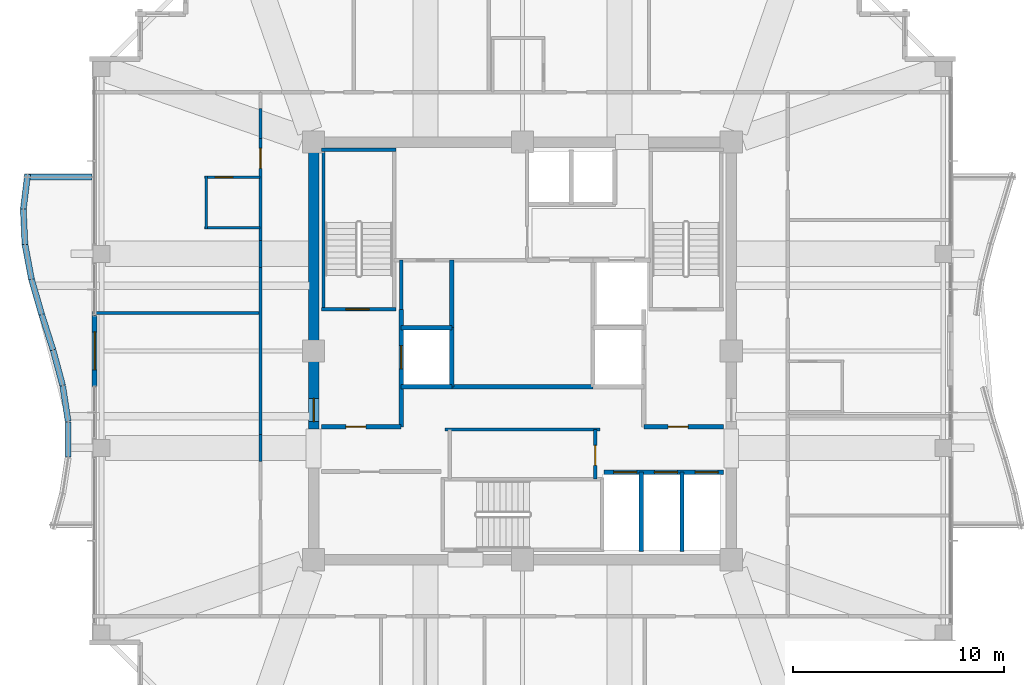
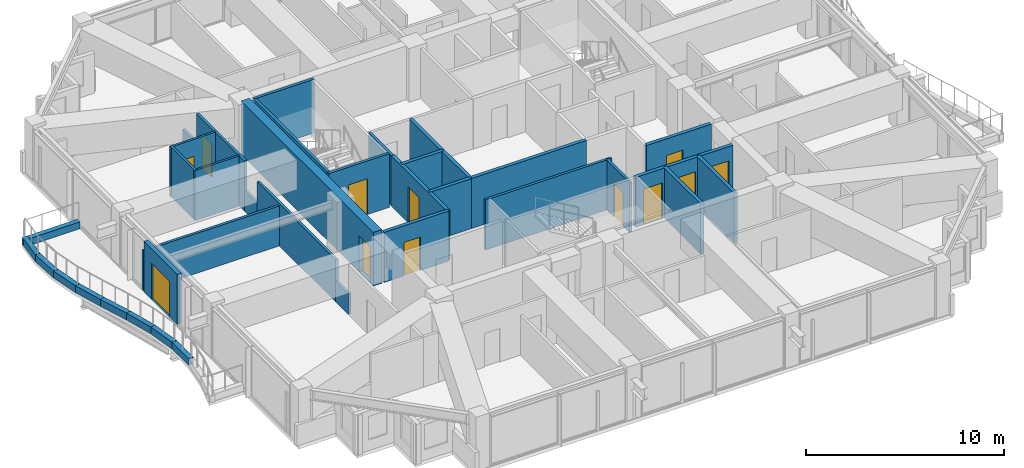
# One storey, part 30 of 35: 37 walls, 12 doors, 12 openings.
"""IFC4 building model written with IfcOpenShell, lengths in metres."""

from ifc_helpers import new_model, si_unit, direction, frame, frame_2d, origin, place, context, subcontext, project, spatial, rectangle, extrude, material, layer, layer_set, type_object, element, fill, save


model = new_model("IFC4")

# Units and contexts
model_context = context("Model", 3, precision=1e-05, world=origin(), true_north=direction((0.0, 1.0)))
body_context = subcontext(model_context, "Body", "Model", "MODEL_VIEW")
ifc_project = project(units=[si_unit("LENGTHUNIT", "METRE"), si_unit("AREAUNIT", "SQUARE_METRE"), si_unit("VOLUMEUNIT", "CUBIC_METRE"), si_unit("PLANEANGLEUNIT", "RADIAN"), si_unit("MASSUNIT", "GRAM", prefix="KILO")], contexts=[model_context])

# Site, building, storey
site_placement = place(None, origin())
site = spatial("IfcSite", under=ifc_project, at=site_placement, CompositionType="ELEMENT")
building_placement = place(site_placement, origin())
building = spatial("IfcBuilding", under=site, at=building_placement, Name="Kolvaren Belvedere", CompositionType="ELEMENT")
storey_placement = place(building_placement, frame((0.0, 0.0, 203.10009765625)))
storey = spatial("IfcBuildingStorey", under=building, at=storey_placement, Name="L59", CompositionType="ELEMENT", Elevation=203.10009765625)

# Wall, opening, door
ifc_material_1 = material(Name="Concrete C50/60", Category="concrete")
ifc_layer_1 = layer(ifc_material_1, 0.5)
ifc_layer_set_1 = layer_set([ifc_layer_1], Name="Concrete C50/60")
wall_type_1 = type_object("IfcWallType", Name="CW-CORE-500", PredefinedType="SHEAR", material=ifc_layer_set_1)
wall_1_placement = place(storey_placement, frame((-9.89990234375, -3.699951171875, 0.0), z_axis=(0.0, 0.0, 1.0), x_axis=(0.0, 1.0, 0.0)))
wall_1 = element("IfcWall", 1, at=wall_1_placement, inside=storey, type_object=wall_type_1, Name="L59 West Core Shear Wall 2", PredefinedType="SHEAR", context=body_context, shape_type="SweptSolid", body=[
    extrude(rectangle(XDim=13.349853515625, YDim=0.5, at=frame_2d((6.6748046875, 0.0))), origin(), (0.0, 0.0, 1.0), 3.2998046875),
])
opening_1_placement = place(wall_1_placement, frame((0.35009765625, 0.0, 0.0)))
opening_1 = element("IfcOpeningElement", 2, at=opening_1_placement, cuts=wall_1, Name="Opening D-FD90", PredefinedType="OPENING", context=body_context, shape_type="SweptSolid", body=[
    extrude(rectangle(XDim=1.10009765625, YDim=2.199951171875, at=frame_2d((0.550048828125, 1.10009765625))), frame((0.0, 0.260009765625, 0.0), z_axis=(0.0, -1.0, 0.0), x_axis=(1.0, 0.0, 0.0)), (0.0, 0.0, 1.0), 0.52001953125),
])
ifc_material_2 = material(Name="Painted hollow stainless steel", Category="steel")
door_type_1 = type_object("IfcDoorType", Name="DR-FD90-1100", OperationType="NOTDEFINED", PredefinedType="DOOR", material=ifc_material_2)
door_1_placement = place(opening_1_placement, origin())
door_1 = element("IfcDoor", 3, at=door_1_placement, inside=storey, type_object=door_type_1, Name="L59 West Firefighting Lobby Fire Door", OperationType="SINGLE_SWING_LEFT", OverallHeight=2.199951171875, OverallWidth=1.10009765625, PredefinedType="DOOR", context=body_context, shape_type="SweptSolid", body=[
    extrude(rectangle(XDim=1.10009765625, YDim=2.199951171875, at=frame_2d((0.550048828125, 1.10009765625))), frame((0.0, 0.02490234375, 0.0), z_axis=(0.0, -1.0, 0.0), x_axis=(1.0, 0.0, 0.0)), (0.0, 0.0, 1.0), 0.050048828125),
])
fill(opening_1, door_1)

ifc_material_3 = material(Name="Concrete C50/60", Category="concrete")
ifc_layer_2 = layer(ifc_material_3, 0.159912109375)
ifc_layer_set_2 = layer_set([ifc_layer_2], Name="Concrete C50/60")
wall_type_2 = type_object("IfcWallType", Name="CW-STAIR-160", PredefinedType="SHEAR", material=ifc_layer_set_2)
wall_2_placement = place(storey_placement, frame((-9.52001953125, 1.969970703125, 0.0), z_axis=(0.0, 0.0, 1.0), x_axis=(1.0, 0.0, 0.0)))
wall_2 = element("IfcWall", 4, at=wall_2_placement, inside=storey, type_object=wall_type_2, Name="L59 Stair ST-1 South Shear Wall", PredefinedType="SHEAR", context=body_context, shape_type="SweptSolid", body=[
    extrude(rectangle(XDim=3.52001953125, YDim=0.159912109375, at=frame_2d((1.760009765625, 0.0))), origin(), (0.0, 0.0, 1.0), 3.2998046875),
])
opening_2_placement = place(wall_2_placement, frame((1.14990234375, 0.0, 0.0)))
opening_2 = element("IfcOpeningElement", 5, at=opening_2_placement, cuts=wall_2, Name="Opening D-FD90", PredefinedType="OPENING", context=body_context, shape_type="SweptSolid", body=[
    extrude(rectangle(XDim=1.10009765625, YDim=2.199951171875, at=frame_2d((0.550048828125, 1.10009765625))), frame((0.0, 0.08984375, 0.0), z_axis=(0.0, -1.0, 0.0), x_axis=(1.0, 0.0, 0.0)), (0.0, 0.0, 1.0), 0.179931640625),
])
door_2_placement = place(opening_2_placement, origin())
door_2 = element("IfcDoor", 6, at=door_2_placement, inside=storey, type_object=door_type_1, Name="L59 Stair ST-1 Fire Door", OperationType="SINGLE_SWING_LEFT", OverallHeight=2.199951171875, OverallWidth=1.10009765625, PredefinedType="DOOR", context=body_context, shape_type="SweptSolid", body=[
    extrude(rectangle(XDim=1.10009765625, YDim=2.199951171875, at=frame_2d((0.550048828125, 1.10009765625))), frame((0.0, 0.02490234375, 0.0), z_axis=(0.0, -1.0, 0.0), x_axis=(1.0, 0.0, 0.0)), (0.0, 0.0, 1.0), 0.050048828125),
])
fill(opening_2, door_2)

# Walls
wall_3_placement = place(storey_placement, frame((-9.52001953125, 9.530029296875, 0.0), z_axis=(0.0, 0.0, 1.0), x_axis=(1.0, 0.0, 0.0)))
element("IfcWall", 7, at=wall_3_placement, inside=storey, type_object=wall_type_2, Name="L59 Stair ST-1 North Shear Wall", PredefinedType="SHEAR", context=body_context, shape_type="SweptSolid", body=[
    extrude(rectangle(XDim=3.52001953125, YDim=0.159912109375, at=frame_2d((1.760009765625, 0.0))), origin(), (0.0, 0.0, 1.0), 3.2998046875),
])
wall_4_placement = place(storey_placement, frame((-9.429931640625, 1.969970703125, 0.0), z_axis=(0.0, 0.0, 1.0), x_axis=(0.0, 1.0, 0.0)))
element("IfcWall", 8, at=wall_4_placement, inside=storey, type_object=wall_type_2, Name="L59 Stair ST-1 West Shear Wall", PredefinedType="SHEAR", context=body_context, shape_type="SweptSolid", body=[
    extrude(rectangle(XDim=7.56005859375, YDim=0.159912109375, at=frame_2d((3.780029296875, 0.0))), origin(), (0.0, 0.0, 1.0), 3.2998046875),
])
ifc_material_4 = material(Name="Gypsum fire-rated partition assembly", Category="gypsum")
ifc_layer_3 = layer(ifc_material_4, 0.14990234375)
ifc_layer_set_3 = layer_set([ifc_layer_3], Name="Gypsum fire-rated partition assembly")
wall_type_3 = type_object("IfcWallType", Name="WL-CORR-150", PredefinedType="PARTITIONING", material=ifc_layer_set_3)
wall_5_placement = place(storey_placement, frame((-12.419921875, -5.241943359375, 0.0), z_axis=(0.0, 0.0, 1.0), x_axis=(0.0, 1.0, 0.0)))
element("IfcWall", 9, at=wall_5_placement, inside=storey, type_object=wall_type_3, Name="L59 West Corridor Wall", PredefinedType="PARTITIONING", context=body_context, shape_type="SweptSolid", body=[
    extrude(rectangle(XDim=1.283935546875, YDim=0.14990234375, at=frame_2d((0.64208984375, 0.0))), origin(), (0.0, 0.0, 1.0), 1.264892578125),
])
wall_6_placement = place(storey_placement, frame((-12.419921875, -3.9580078125, 0.0), z_axis=(0.0, 0.0, 1.0), x_axis=(0.0, 1.0, 0.0)))
element("IfcWall", 10, at=wall_6_placement, inside=storey, type_object=wall_type_3, Name="L59 West Corridor Wall", PredefinedType="PARTITIONING", context=body_context, shape_type="SweptSolid", body=[
    extrude(rectangle(XDim=7.916015625, YDim=0.14990234375, at=frame_2d((3.9580078125, 0.0))), origin(), (0.0, 0.0, 1.0), 2.60498046875),
])
wall_7_placement = place(storey_placement, frame((-12.419921875, 3.9580078125, 0.0), z_axis=(0.0, 0.0, 1.0), x_axis=(0.0, 1.0, 0.0)))
element("IfcWall", 11, at=wall_7_placement, inside=storey, type_object=wall_type_3, Name="L59 West Corridor Wall", PredefinedType="PARTITIONING", context=body_context, shape_type="SweptSolid", body=[
    extrude(rectangle(XDim=1.283935546875, YDim=0.14990234375, at=frame_2d((0.64208984375, 0.0))), origin(), (0.0, 0.0, 1.0), 1.264892578125),
])

# Wall, opening, door
wall_8_placement = place(storey_placement, frame((-12.419921875, 5.241943359375, 0.0), z_axis=(0.0, 0.0, 1.0), x_axis=(0.0, 1.0, 0.0)))
wall_8 = element("IfcWall", 12, at=wall_8_placement, inside=storey, type_object=wall_type_3, Name="L59 West Corridor Wall", PredefinedType="PARTITIONING", context=body_context, shape_type="SweptSolid", body=[
    extrude(rectangle(XDim=4.827392578125, YDim=0.14990234375, at=frame_2d((2.41357421875, 0.0))), origin(), (0.0, 0.0, 1.0), 3.079833984375),
])
opening_3_placement = place(wall_8_placement, frame((3.407958984375, 0.0, 0.0)))
opening_3 = element("IfcOpeningElement", 13, at=opening_3_placement, cuts=wall_8, Name="Opening D-FD60", PredefinedType="OPENING", context=body_context, shape_type="SweptSolid", body=[
    extrude(rectangle(XDim=0.949951171875, YDim=2.06005859375, at=frame_2d((0.47509765625, 1.030029296875))), frame((0.0, 0.0849609375, 0.0), z_axis=(0.0, -1.0, 0.0), x_axis=(1.0, 0.0, 0.0)), (0.0, 0.0, 1.0), 0.169921875),
])
ifc_material_5 = material(Name="Acoustic white-oak fire door leaf", Category="timber")
door_type_2 = type_object("IfcDoorType", Name="DR-FD60-950", OperationType="NOTDEFINED", PredefinedType="DOOR", material=ifc_material_5)
door_3_placement = place(opening_3_placement, origin())
door_3 = element("IfcDoor", 14, at=door_3_placement, inside=storey, type_object=door_type_2, Name="L59 King Guest Room 5909 Entry Door", OperationType="SINGLE_SWING_RIGHT", OverallHeight=2.06005859375, OverallWidth=0.949951171875, PredefinedType="DOOR", context=body_context, shape_type="SweptSolid", body=[
    extrude(rectangle(XDim=0.949951171875, YDim=2.06005859375, at=frame_2d((0.47509765625, 1.030029296875))), frame((0.0, 0.02490234375, 0.0), z_axis=(0.0, -1.0, 0.0), x_axis=(1.0, 0.0, 0.0)), (0.0, 0.0, 1.0), 0.050048828125),
])
fill(opening_3, door_3)

# Wall
wall_9_placement = place(storey_placement, frame((-12.419921875, 10.0693359375, 0.0), z_axis=(0.0, 0.0, 1.0), x_axis=(0.0, 1.0, 0.0)))
element("IfcWall", 15, at=wall_9_placement, inside=storey, type_object=wall_type_3, Name="L59 West Corridor Wall", PredefinedType="PARTITIONING", context=body_context, shape_type="SweptSolid", body=[
    extrude(rectangle(XDim=1.416748046875, YDim=0.14990234375, at=frame_2d((0.70849609375, 0.0))), origin(), (0.0, 0.0, 1.0), 1.264892578125),
])

# Wall, opening, door
ifc_material_6 = material(Name="Insulated pale-metal facade wall assembly", Category="aluminium")
ifc_layer_4 = layer(ifc_material_6, 0.239990234375)
ifc_layer_set_4 = layer_set([ifc_layer_4], Name="Insulated pale-metal facade wall assembly")
wall_type_4 = type_object("IfcWallType", Name="WL-EXT-240", PredefinedType="STANDARD", material=ifc_layer_set_4)
wall_10_placement = place(storey_placement, frame((-20.280029296875, -1.679931640625, 0.0), z_axis=(0.0, 0.0, 1.0), x_axis=(0.0, 1.0, 0.0)))
wall_10 = element("IfcWall", 16, at=wall_10_placement, inside=storey, type_object=wall_type_4, Name="L59 West Terrace Portal Wall", PredefinedType="STANDARD", context=body_context, shape_type="SweptSolid", body=[
    extrude(rectangle(XDim=3.35986328125, YDim=0.239990234375, at=frame_2d((1.679931640625, 0.0))), origin(), (0.0, 0.0, 1.0), 3.079833984375),
])
opening_4_placement = place(wall_10_placement, frame((0.780029296875, 0.0, 0.0)))
opening_4 = element("IfcOpeningElement", 17, at=opening_4_placement, cuts=wall_10, Name="Opening DB-1800", PredefinedType="OPENING", context=body_context, shape_type="SweptSolid", body=[
    extrude(rectangle(XDim=1.800048828125, YDim=2.199951171875, at=frame_2d((0.89990234375, 1.10009765625))), frame((0.0, 0.1298828125, 0.0), z_axis=(0.0, -1.0, 0.0), x_axis=(1.0, 0.0, 0.0)), (0.0, 0.0, 1.0), 0.260009765625),
])
ifc_material_7 = material(Name="Thermally broken pale-metal aluminium & low-iron glass", Category="aluminium")
door_type_3 = type_object("IfcDoorType", Name="DR-BAL-1800", OperationType="DOUBLE_DOOR_SLIDING", PredefinedType="DOOR", material=ifc_material_7)
door_4_placement = place(opening_4_placement, origin())
door_4 = element("IfcDoor", 18, at=door_4_placement, inside=storey, type_object=door_type_3, Name="L59 West Planted Terrace Sliding Door", OperationType="DOUBLE_DOOR_SLIDING", OverallHeight=2.199951171875, OverallWidth=1.800048828125, PredefinedType="DOOR", context=body_context, shape_type="SweptSolid", body=[
    extrude(rectangle(XDim=1.800048828125, YDim=2.199951171875, at=frame_2d((0.89990234375, 1.10009765625))), frame((0.0, 0.02490234375, 0.0), z_axis=(0.0, -1.0, 0.0), x_axis=(1.0, 0.0, 0.0)), (0.0, 0.0, 1.0), 0.050048828125),
])
fill(opening_4, door_4)

# Wall
ifc_material_8 = material(Name="Gypsum acoustic partition assembly", Category="gypsum")
ifc_layer_5 = layer(ifc_material_8, 0.14990234375)
ifc_layer_set_5 = layer_set([ifc_layer_5], Name="Gypsum acoustic partition assembly")
wall_type_5 = type_object("IfcWallType", Name="WL-PART-150", PredefinedType="PARTITIONING", material=ifc_layer_set_5)
wall_11_placement = place(storey_placement, frame((-3.679931640625, -3.719970703125, 0.0), z_axis=(0.0, 0.0, 1.0), x_axis=(1.0, 0.0, 0.0)))
element("IfcWall", 19, at=wall_11_placement, inside=storey, type_object=wall_type_5, Name="L59 South Core Service North Wall", PredefinedType="PARTITIONING", context=body_context, shape_type="SweptSolid", body=[
    extrude(rectangle(XDim=7.35986328125, YDim=0.14990234375, at=frame_2d((3.679931640625, 0.0))), origin(), (0.0, 0.0, 1.0), 3.079833984375),
])

# Wall, opening, door
wall_12_placement = place(storey_placement, frame((3.449951171875, -6.080078125, 0.0), z_axis=(0.0, 0.0, 1.0), x_axis=(0.0, 1.0, 0.0)))
wall_12 = element("IfcWall", 20, at=wall_12_placement, inside=storey, type_object=wall_type_5, Name="L59 South Core Service East Wall", PredefinedType="PARTITIONING", context=body_context, shape_type="SweptSolid", body=[
    extrude(rectangle(XDim=2.360107421875, YDim=0.14990234375, at=frame_2d((1.18017578125, 0.0))), origin(), (0.0, 0.0, 1.0), 3.079833984375),
])
opening_5_placement = place(wall_12_placement, frame((0.64990234375, 0.0, 0.0)))
opening_5 = element("IfcOpeningElement", 21, at=opening_5_placement, cuts=wall_12, Name="Opening D-FD60", PredefinedType="OPENING", context=body_context, shape_type="SweptSolid", body=[
    extrude(rectangle(XDim=0.949951171875, YDim=2.06005859375, at=frame_2d((0.47509765625, 1.030029296875))), frame((0.0, 0.0849609375, 0.0), z_axis=(0.0, -1.0, 0.0), x_axis=(1.0, 0.0, 0.0)), (0.0, 0.0, 1.0), 0.169921875),
])
door_5_placement = place(opening_5_placement, origin())
door_5 = element("IfcDoor", 22, at=door_5_placement, inside=storey, type_object=door_type_2, Name="L59 Core Service Room Door", OperationType="SINGLE_SWING_LEFT", OverallHeight=2.06005859375, OverallWidth=0.949951171875, PredefinedType="DOOR", context=body_context, shape_type="SweptSolid", body=[
    extrude(rectangle(XDim=0.949951171875, YDim=2.06005859375, at=frame_2d((0.47509765625, 1.030029296875))), frame((0.0, 0.02490234375, 0.0), z_axis=(0.0, -1.0, 0.0), x_axis=(1.0, 0.0, 0.0)), (0.0, 0.0, 1.0), 0.050048828125),
])
fill(opening_5, door_5)

# Walls
wall_13_placement = place(storey_placement, frame((-5.75, 1.969970703125, 0.0), z_axis=(0.0, 0.0, 1.0), x_axis=(0.0, 1.0, 0.0)))
element("IfcWall", 23, at=wall_13_placement, inside=storey, type_object=wall_type_5, Name="L59 NW Service Room West Wall", PredefinedType="PARTITIONING", context=body_context, shape_type="SweptSolid", body=[
    extrude(rectangle(XDim=2.330078125, YDim=0.14990234375, at=frame_2d((1.1650390625, 0.0))), origin(), (0.0, 0.0, 1.0), 3.079833984375),
])
wall_14_placement = place(storey_placement, frame((-20.3798828125, 1.800048828125, 0.0), z_axis=(0.0, 0.0, 1.0), x_axis=(1.0, 0.0, 0.0)))
element("IfcWall", 24, at=wall_14_placement, inside=storey, type_object=wall_type_5, Name="L59 West Suite Demising Wall 1", PredefinedType="PARTITIONING", context=body_context, shape_type="SweptSolid", body=[
    extrude(rectangle(XDim=7.9599609375, YDim=0.14990234375, at=frame_2d((3.97998046875, 0.0))), origin(), (0.0, 0.0, 1.0), 2.452880859375),
])
ifc_material_9 = material(Name="Precast concrete C40/50", Category="concrete")
ifc_layer_6 = layer(ifc_material_9, 0.300048828125)
ifc_layer_set_6 = layer_set([ifc_layer_6], Name="Precast concrete C40/50")
wall_type_6 = type_object("IfcWallType", Name="WL-PLANTER-300", PredefinedType="PARAPET", material=ifc_layer_set_6)
wall_15_placement = place(storey_placement, frame((-23.454833984375, 8.380615234375, -0.0400390625), z_axis=(0.0, 0.0, 1.0), x_axis=(-0.121868867697, -0.992546210051, 0.0)))
element("IfcWall", 25, at=wall_15_placement, inside=storey, type_object=wall_type_6, Name="L59 Precast Structural Planter Wall BAL-W-1", PredefinedType="PARAPET", context=body_context, shape_type="SweptSolid", body=[
    extrude(rectangle(XDim=1.69287109375, YDim=0.280029296875, at=frame_2d((0.846435546875, 0.0))), origin(), (0.0, 0.0, 1.0), 0.419921875),
])
wall_16_placement = place(storey_placement, frame((-23.66015625, 6.727294921875, -0.0400390625), z_axis=(0.0, 0.0, 1.0), x_axis=(0.044999415011, -0.998987013253, 0.0)))
element("IfcWall", 26, at=wall_16_placement, inside=storey, type_object=wall_type_6, Name="L59 Precast Structural Planter Wall BAL-W-2", PredefinedType="PARAPET", context=body_context, shape_type="SweptSolid", body=[
    extrude(rectangle(XDim=1.681884765625, YDim=0.280029296875, at=frame_2d((0.8408203125, 0.0))), origin(), (0.0, 0.0, 1.0), 0.419921875),
])
wall_17_placement = place(storey_placement, frame((-23.5869140625, 5.069580078125, -0.0400390625), z_axis=(0.0, 0.0, 1.0), x_axis=(0.18467658162, -0.982799348901, 0.0)))
element("IfcWall", 27, at=wall_17_placement, inside=storey, type_object=wall_type_6, Name="L59 Precast Structural Planter Wall BAL-W-3", PredefinedType="PARAPET", context=body_context, shape_type="SweptSolid", body=[
    extrude(rectangle(XDim=1.709228515625, YDim=0.280029296875, at=frame_2d((0.8544921875, 0.0))), origin(), (0.0, 0.0, 1.0), 0.419921875),
])
wall_18_placement = place(storey_placement, frame((-23.274658203125, 3.404541015625, -0.0400390625), z_axis=(0.0, 0.0, 1.0), x_axis=(0.277817391164, -0.960633903819, 0.0)))
element("IfcWall", 28, at=wall_18_placement, inside=storey, type_object=wall_type_6, Name="L59 Precast Structural Planter Wall BAL-W-4", PredefinedType="PARAPET", context=body_context, shape_type="SweptSolid", body=[
    extrude(rectangle(XDim=1.748779296875, YDim=0.280029296875, at=frame_2d((0.87451171875, 0.0))), origin(), (0.0, 0.0, 1.0), 0.419921875),
])
wall_19_placement = place(storey_placement, frame((-22.7900390625, 1.728515625, -0.0400390625), z_axis=(0.0, 0.0, 1.0), x_axis=(0.304032153573, -0.952661770826, 0.0)))
element("IfcWall", 29, at=wall_19_placement, inside=storey, type_object=wall_type_6, Name="L59 Precast Structural Planter Wall BAL-W-5", PredefinedType="PARAPET", context=body_context, shape_type="SweptSolid", body=[
    extrude(rectangle(XDim=1.763427734375, YDim=0.280029296875, at=frame_2d((0.8818359375, 0.0))), origin(), (0.0, 0.0, 1.0), 0.419921875),
])
wall_20_placement = place(storey_placement, frame((-22.251708984375, 0.041748046875, -0.0400390625), z_axis=(0.0, 0.0, 1.0), x_axis=(0.260682852326, -0.965424492388, 0.0)))
element("IfcWall", 30, at=wall_20_placement, inside=storey, type_object=wall_type_6, Name="L59 Precast Structural Planter Wall BAL-W-6", PredefinedType="PARAPET", context=body_context, shape_type="SweptSolid", body=[
    extrude(rectangle(XDim=1.739990234375, YDim=0.280029296875, at=frame_2d((0.8701171875, 0.0))), origin(), (0.0, 0.0, 1.0), 0.419921875),
])
wall_21_placement = place(storey_placement, frame((-21.794677734375, -1.655517578125, -0.0400390625), z_axis=(0.0, 0.0, 1.0), x_axis=(0.152229849666, -0.988345118302, 0.0)))
element("IfcWall", 31, at=wall_21_placement, inside=storey, type_object=wall_type_6, Name="L59 Precast Structural Planter Wall BAL-W-7", PredefinedType="PARAPET", context=body_context, shape_type="SweptSolid", body=[
    extrude(rectangle(XDim=1.699951171875, YDim=0.280029296875, at=frame_2d((0.85009765625, 0.0))), origin(), (0.0, 0.0, 1.0), 0.419921875),
])
wall_22_placement = place(storey_placement, frame((-21.533935546875, -3.360107421875, -0.0400390625), z_axis=(0.0, 0.0, 1.0), x_axis=(0.0, -1.0, 0.0)))
element("IfcWall", 32, at=wall_22_placement, inside=storey, type_object=wall_type_6, Name="L59 Precast Structural Planter Wall BAL-W-8", PredefinedType="PARAPET", context=body_context, shape_type="SweptSolid", body=[
    extrude(rectangle(XDim=1.679931640625, YDim=0.280029296875, at=frame_2d((0.83984375, 0.0))), origin(), (0.0, 0.0, 1.0), 0.419921875),
])
wall_23_placement = place(storey_placement, frame((-20.39990234375, 8.239990234375, -0.0400390625), z_axis=(0.0, 0.0, 1.0), x_axis=(-1.0, 0.0, 0.0)))
element("IfcWall", 33, at=wall_23_placement, inside=storey, type_object=wall_type_6, Name="L59 Precast Structural Planter Wall BAL-W-22", PredefinedType="PARAPET", context=body_context, shape_type="SweptSolid", body=[
    extrude(rectangle(XDim=3.2138671875, YDim=0.280029296875, at=frame_2d((1.60693359375, 0.0))), origin(), (0.0, 0.0, 1.0), 0.419921875),
])

# Wall, opening, door
ifc_material_10 = material(Name="Concrete C50/60", Category="concrete")
ifc_layer_7 = layer(ifc_material_10, 0.199951171875)
ifc_layer_set_7 = layer_set([ifc_layer_7], Name="Concrete C50/60")
wall_type_7 = type_object("IfcWallType", Name="WL-SHAFT-200", PredefinedType="SOLIDWALL", material=ifc_layer_set_7)
wall_24_placement = place(storey_placement, frame((-9.52001953125, -3.60009765625, 0.0), z_axis=(0.0, 0.0, 1.0), x_axis=(1.0, 0.0, 0.0)))
wall_24 = element("IfcWall", 34, at=wall_24_placement, inside=storey, type_object=wall_type_7, Name="L59 West FSAE Lobby South Wall", PredefinedType="SOLIDWALL", context=body_context, shape_type="SweptSolid", body=[
    extrude(rectangle(XDim=3.77001953125, YDim=0.199951171875, at=frame_2d((1.885009765625, 0.0))), origin(), (0.0, 0.0, 1.0), 3.079833984375),
])
opening_6_placement = place(wall_24_placement, frame((1.14990234375, 0.0, 0.0)))
opening_6 = element("IfcOpeningElement", 35, at=opening_6_placement, cuts=wall_24, Name="Opening D-FD60", PredefinedType="OPENING", context=body_context, shape_type="SweptSolid", body=[
    extrude(rectangle(XDim=0.949951171875, YDim=2.06005859375, at=frame_2d((0.47509765625, 1.030029296875))), frame((0.0, 0.10986328125, 0.0), z_axis=(0.0, -1.0, 0.0), x_axis=(1.0, 0.0, 0.0)), (0.0, 0.0, 1.0), 0.219970703125),
])
door_6_placement = place(opening_6_placement, origin())
door_6 = element("IfcDoor", 36, at=door_6_placement, inside=storey, type_object=door_type_2, Name="L59 SW Lobby Fire Door", OperationType="SINGLE_SWING_LEFT", OverallHeight=2.06005859375, OverallWidth=0.949951171875, PredefinedType="DOOR", context=body_context, shape_type="SweptSolid", body=[
    extrude(rectangle(XDim=0.949951171875, YDim=2.06005859375, at=frame_2d((0.47509765625, 1.030029296875))), frame((0.0, 0.02490234375, 0.0), z_axis=(0.0, -1.0, 0.0), x_axis=(1.0, 0.0, 0.0)), (0.0, 0.0, 1.0), 0.050048828125),
])
fill(opening_6, door_6)

wall_25_placement = place(storey_placement, frame((-5.75, -3.60009765625, 0.0), z_axis=(0.0, 0.0, 1.0), x_axis=(0.0, 1.0, 0.0)))
wall_25 = element("IfcWall", 37, at=wall_25_placement, inside=storey, type_object=wall_type_7, Name="L59 FSAE FS1 Landing Wall", PredefinedType="SOLIDWALL", context=body_context, shape_type="SweptSolid", body=[
    extrude(rectangle(XDim=5.570068359375, YDim=0.199951171875, at=frame_2d((2.78515625, 0.0))), origin(), (0.0, 0.0, 1.0), 3.079833984375),
])
opening_7_placement = place(wall_25_placement, frame((2.75, 0.0, 0.0)))
opening_7 = element("IfcOpeningElement", 38, at=opening_7_placement, cuts=wall_25, Name="Opening LD-11", PredefinedType="OPENING", context=body_context, shape_type="SweptSolid", body=[
    extrude(rectangle(XDim=1.10009765625, YDim=2.199951171875, at=frame_2d((0.550048828125, 1.10009765625))), frame((0.0, 0.10986328125, 0.0), z_axis=(0.0, -1.0, 0.0), x_axis=(1.0, 0.0, 0.0)), (0.0, 0.0, 1.0), 0.219970703125),
])
ifc_material_11 = material(Name="Brushed stainless steel", Category="steel")
door_type_4 = type_object("IfcDoorType", Name="DR-LIFT-1100", OperationType="DOUBLE_DOOR_SLIDING", PredefinedType="DOOR", material=ifc_material_11)
door_7_placement = place(opening_7_placement, origin())
door_7 = element("IfcDoor", 39, at=door_7_placement, inside=storey, type_object=door_type_4, Name="L59 Firefighting Lift FS1 Landing Door", OperationType="DOUBLE_DOOR_SLIDING", OverallHeight=2.199951171875, OverallWidth=1.10009765625, PredefinedType="DOOR", context=body_context, shape_type="SweptSolid", body=[
    extrude(rectangle(XDim=1.10009765625, YDim=2.199951171875, at=frame_2d((0.550048828125, 1.10009765625))), frame((0.0, 0.02490234375, 0.0), z_axis=(0.0, -1.0, 0.0), x_axis=(1.0, 0.0, 0.0)), (0.0, 0.0, 1.0), 0.050048828125),
])
fill(opening_7, door_7)

# Walls
wall_26_placement = place(storey_placement, frame((-3.35009765625, -1.699951171875, 0.0), z_axis=(0.0, 0.0, 1.0), x_axis=(0.0, 1.0, 0.0)))
element("IfcWall", 40, at=wall_26_placement, inside=storey, type_object=wall_type_7, Name="L59 FSAE FS1 Back Wall", PredefinedType="SOLIDWALL", context=body_context, shape_type="SweptSolid", body=[
    extrude(rectangle(XDim=2.800048828125, YDim=0.199951171875, at=frame_2d((1.39990234375, 0.0))), origin(), (0.0, 0.0, 1.0), 3.079833984375),
])
for number, where, z_axis, x_axis, name in (
    (41, (-5.75, -1.699951171875, 0.0), (0.0, 0.0, 1.0), (1.0, 0.0, 0.0), "L59 FSAE FS1 South Wall"),
    (42, (-5.75, 1.10009765625, 0.0), (0.0, 0.0, 1.0), (1.0, 0.0, 0.0), "L59 FSAE FS1 North Wall"),
):
    element("IfcWall", number, at=place(storey_placement, frame(where, z_axis=z_axis, x_axis=x_axis)), inside=storey, type_object=wall_type_7, Name=name, PredefinedType="SOLIDWALL", context=body_context, shape_type="SweptSolid", body=[
        extrude(rectangle(XDim=2.39990234375, YDim=0.199951171875, at=frame_2d((1.199951171875, 0.0))), origin(), (0.0, 0.0, 1.0), 3.079833984375),
    ])

# Wall, opening, door
wall_27_placement = place(storey_placement, frame((5.75, -3.60009765625, 0.0), z_axis=(0.0, 0.0, 1.0), x_axis=(1.0, 0.0, 0.0)))
wall_27 = element("IfcWall", 43, at=wall_27_placement, inside=storey, type_object=wall_type_7, Name="L59 East FSAE Lobby South Wall", PredefinedType="SOLIDWALL", context=body_context, shape_type="SweptSolid", body=[
    extrude(rectangle(XDim=3.77001953125, YDim=0.199951171875, at=frame_2d((1.885009765625, 0.0))), origin(), (0.0, 0.0, 1.0), 3.079833984375),
])
opening_8_placement = place(wall_27_placement, frame((1.14990234375, 0.0, 0.0)))
opening_8 = element("IfcOpeningElement", 44, at=opening_8_placement, cuts=wall_27, Name="Opening D-FD60", PredefinedType="OPENING", context=body_context, shape_type="SweptSolid", body=[
    extrude(rectangle(XDim=0.949951171875, YDim=2.06005859375, at=frame_2d((0.47509765625, 1.030029296875))), frame((0.0, 0.10986328125, 0.0), z_axis=(0.0, -1.0, 0.0), x_axis=(1.0, 0.0, 0.0)), (0.0, 0.0, 1.0), 0.219970703125),
])
door_8_placement = place(opening_8_placement, origin())
door_8 = element("IfcDoor", 45, at=door_8_placement, inside=storey, type_object=door_type_2, Name="L59 SE Lift Lobby Fire Door", OperationType="SINGLE_SWING_RIGHT", OverallHeight=2.06005859375, OverallWidth=0.949951171875, PredefinedType="DOOR", context=body_context, shape_type="SweptSolid", body=[
    extrude(rectangle(XDim=0.949951171875, YDim=2.06005859375, at=frame_2d((0.47509765625, 1.030029296875))), frame((0.0, 0.02490234375, 0.0), z_axis=(0.0, -1.0, 0.0), x_axis=(1.0, 0.0, 0.0)), (0.0, 0.0, 1.0), 0.050048828125),
])
fill(opening_8, door_8)

# Wall, openings, doors
wall_28_placement = place(storey_placement, frame((3.860107421875, -5.75, 0.0), z_axis=(0.0, 0.0, 1.0), x_axis=(1.0, 0.0, 0.0)))
wall_28 = element("IfcWall", 46, at=wall_28_placement, inside=storey, type_object=wall_type_7, Name="L59 High-Rise Lift Bank Front Wall", PredefinedType="SOLIDWALL", context=body_context, shape_type="SweptSolid", body=[
    extrude(rectangle(XDim=5.659912109375, YDim=0.199951171875, at=frame_2d((2.830078125, 0.0))), origin(), (0.0, 0.0, 1.0), 3.079833984375),
])
opening_9_placement = place(wall_28_placement, frame((0.4599609375, 0.0, 0.0)))
opening_9 = element("IfcOpeningElement", 47, at=opening_9_placement, cuts=wall_28, Name="Opening LD-11", PredefinedType="OPENING", context=body_context, shape_type="SweptSolid", body=[
    extrude(rectangle(XDim=1.10009765625, YDim=2.199951171875, at=frame_2d((0.550048828125, 1.10009765625))), frame((0.0, 0.10986328125, 0.0), z_axis=(0.0, -1.0, 0.0), x_axis=(1.0, 0.0, 0.0)), (0.0, 0.0, 1.0), 0.219970703125),
])
opening_10_placement = place(wall_28_placement, frame((2.389892578125, 0.0, 0.0)))
opening_10 = element("IfcOpeningElement", 48, at=opening_10_placement, cuts=wall_28, Name="Opening LD-11", PredefinedType="OPENING", context=body_context, shape_type="SweptSolid", body=[
    extrude(rectangle(XDim=1.10009765625, YDim=2.199951171875, at=frame_2d((0.550048828125, 1.10009765625))), frame((0.0, 0.10986328125, 0.0), z_axis=(0.0, -1.0, 0.0), x_axis=(1.0, 0.0, 0.0)), (0.0, 0.0, 1.0), 0.219970703125),
])
opening_11_placement = place(wall_28_placement, frame((4.320068359375, 0.0, 0.0)))
opening_11 = element("IfcOpeningElement", 49, at=opening_11_placement, cuts=wall_28, Name="Opening LD-11", PredefinedType="OPENING", context=body_context, shape_type="SweptSolid", body=[
    extrude(rectangle(XDim=1.10009765625, YDim=2.199951171875, at=frame_2d((0.550048828125, 1.10009765625))), frame((0.0, 0.10986328125, 0.0), z_axis=(0.0, -1.0, 0.0), x_axis=(1.0, 0.0, 0.0)), (0.0, 0.0, 1.0), 0.219970703125),
])
door_9_placement = place(opening_9_placement, origin())
door_9 = element("IfcDoor", 50, at=door_9_placement, inside=storey, type_object=door_type_4, Name="L59 Passenger Lift P7 Landing Door", OperationType="DOUBLE_DOOR_SLIDING", OverallHeight=2.199951171875, OverallWidth=1.10009765625, PredefinedType="DOOR", context=body_context, shape_type="SweptSolid", body=[
    extrude(rectangle(XDim=1.10009765625, YDim=2.199951171875, at=frame_2d((0.550048828125, 1.10009765625))), frame((0.0, 0.02490234375, 0.0), z_axis=(0.0, -1.0, 0.0), x_axis=(1.0, 0.0, 0.0)), (0.0, 0.0, 1.0), 0.050048828125),
])
fill(opening_9, door_9)
door_10_placement = place(opening_10_placement, origin())
door_10 = element("IfcDoor", 51, at=door_10_placement, inside=storey, type_object=door_type_4, Name="L59 Passenger Lift P8 Landing Door", OperationType="DOUBLE_DOOR_SLIDING", OverallHeight=2.199951171875, OverallWidth=1.10009765625, PredefinedType="DOOR", context=body_context, shape_type="SweptSolid", body=[
    extrude(rectangle(XDim=1.10009765625, YDim=2.199951171875, at=frame_2d((0.550048828125, 1.10009765625))), frame((0.0, 0.02490234375, 0.0), z_axis=(0.0, -1.0, 0.0), x_axis=(1.0, 0.0, 0.0)), (0.0, 0.0, 1.0), 0.050048828125),
])
fill(opening_10, door_10)
door_11_placement = place(opening_11_placement, origin())
door_11 = element("IfcDoor", 52, at=door_11_placement, inside=storey, type_object=door_type_4, Name="L59 Passenger Lift P9 Landing Door", OperationType="DOUBLE_DOOR_SLIDING", OverallHeight=2.199951171875, OverallWidth=1.10009765625, PredefinedType="DOOR", context=body_context, shape_type="SweptSolid", body=[
    extrude(rectangle(XDim=1.10009765625, YDim=2.199951171875, at=frame_2d((0.550048828125, 1.10009765625))), frame((0.0, 0.02490234375, 0.0), z_axis=(0.0, -1.0, 0.0), x_axis=(1.0, 0.0, 0.0)), (0.0, 0.0, 1.0), 0.050048828125),
])
fill(opening_11, door_11)

# Walls
for number, where, z_axis, x_axis, name in (
    (53, (5.6298828125, -9.52001953125, 0.0), (0.0, 0.0, 1.0), (0.0, 1.0, 0.0), "L59 High-Rise Hoistway Divider 1"),
    (54, (7.56005859375, -9.52001953125, 0.0), (0.0, 0.0, 1.0), (0.0, 1.0, 0.0), "L59 High-Rise Hoistway Divider 2"),
):
    element("IfcWall", number, at=place(storey_placement, frame(where, z_axis=z_axis, x_axis=x_axis)), inside=storey, type_object=wall_type_7, Name=name, PredefinedType="SOLIDWALL", context=body_context, shape_type="SweptSolid", body=[
        extrude(rectangle(XDim=3.77001953125, YDim=0.199951171875, at=frame_2d((1.885009765625, 0.0))), origin(), (0.0, 0.0, 1.0), 3.079833984375),
    ])
wall_29_placement = place(storey_placement, frame((-3.35009765625, -1.699951171875, 0.0), z_axis=(0.0, 0.0, 1.0), x_axis=(1.0, 0.0, 0.0)))
element("IfcWall", 55, at=wall_29_placement, inside=storey, type_object=wall_type_7, Name="L59 Central Core Room South Wall", PredefinedType="SOLIDWALL", context=body_context, shape_type="SweptSolid", body=[
    extrude(rectangle(XDim=6.7001953125, YDim=0.199951171875, at=frame_2d((3.35009765625, 0.0))), origin(), (0.0, 0.0, 1.0), 3.079833984375),
])
wall_30_placement = place(storey_placement, frame((-3.35009765625, 1.10009765625, 0.0), z_axis=(0.0, 0.0, 1.0), x_axis=(0.0, 1.0, 0.0)))
element("IfcWall", 56, at=wall_30_placement, inside=storey, type_object=wall_type_7, Name="L59 Central Core Room West Wall", PredefinedType="SOLIDWALL", context=body_context, shape_type="SweptSolid", body=[
    extrude(rectangle(XDim=3.199951171875, YDim=0.199951171875, at=frame_2d((1.60009765625, 0.0))), origin(), (0.0, 0.0, 1.0), 3.079833984375),
])

# Wall, opening, door
ifc_material_12 = material(Name="Moisture-resistant gypsum partition", Category="gypsum")
ifc_layer_8 = layer(ifc_material_12, 0.125)
ifc_layer_set_8 = layer_set([ifc_layer_8], Name="Moisture-resistant gypsum partition")
wall_type_8 = type_object("IfcWallType", Name="WL-WET-125", PredefinedType="PARTITIONING", material=ifc_layer_set_8)
wall_31_placement = place(storey_placement, frame((-15.074951171875, 8.22998046875, 0.0), z_axis=(0.0, 0.0, 1.0), x_axis=(1.0, 0.0, 0.0)))
wall_31 = element("IfcWall", 57, at=wall_31_placement, inside=storey, type_object=wall_type_8, Name="L59 Bathroom Partition PW-L59-BTH-9-N", PredefinedType="PARTITIONING", context=body_context, shape_type="SweptSolid", body=[
    extrude(rectangle(XDim=2.639892578125, YDim=0.125, at=frame_2d((1.31982421875, 0.0))), origin(), (0.0, 0.0, 1.0), 3.079833984375),
])
opening_12_placement = place(wall_31_placement, frame((0.5, 0.0, 0.0)))
opening_12 = element("IfcOpeningElement", 58, at=opening_12_placement, cuts=wall_31, Name="Opening D-BTH85", PredefinedType="OPENING", context=body_context, shape_type="SweptSolid", body=[
    extrude(rectangle(XDim=0.85009765625, YDim=2.030029296875, at=frame_2d((0.425048828125, 1.01513671875))), frame((0.0, 0.072509765625, 0.0), z_axis=(0.0, -1.0, 0.0), x_axis=(1.0, 0.0, 0.0)), (0.0, 0.0, 1.0), 0.14501953125),
])
ifc_material_13 = material(Name="Moisture-sealed Pacific white oak", Category="timber")
door_type_5 = type_object("IfcDoorType", Name="DR-BATH-850", OperationType="NOTDEFINED", PredefinedType="DOOR", material=ifc_material_13)
door_12_placement = place(opening_12_placement, origin())
door_12 = element("IfcDoor", 59, at=door_12_placement, inside=storey, type_object=door_type_5, Name="L59 En-Suite Bathroom 5909 Door", OperationType="SINGLE_SWING_LEFT", OverallHeight=2.030029296875, OverallWidth=0.85009765625, PredefinedType="DOOR", context=body_context, shape_type="SweptSolid", body=[
    extrude(rectangle(XDim=0.85009765625, YDim=2.030029296875, at=frame_2d((0.425048828125, 1.01513671875))), frame((0.0, 0.02490234375, 0.0), z_axis=(0.0, -1.0, 0.0), x_axis=(1.0, 0.0, 0.0)), (0.0, 0.0, 1.0), 0.050048828125),
])
fill(opening_12, door_12)

# Walls
wall_32_placement = place(storey_placement, frame((-14.9951171875, 5.77001953125, 0.0), z_axis=(0.0, 0.0, 1.0), x_axis=(0.0, 1.0, 0.0)))
element("IfcWall", 60, at=wall_32_placement, inside=storey, type_object=wall_type_8, Name="L59 Bathroom Partition PW-L59-BTH-9-V", PredefinedType="PARTITIONING", context=body_context, shape_type="SweptSolid", body=[
    extrude(rectangle(XDim=2.52001953125, YDim=0.125, at=frame_2d((1.260009765625, 0.0))), origin(), (0.0, 0.0, 1.0), 3.079833984375),
])
wall_33_placement = place(storey_placement, frame((-15.074951171875, 5.830078125, 0.0), z_axis=(0.0, 0.0, 1.0), x_axis=(1.0, 0.0, 0.0)))
element("IfcWall", 61, at=wall_33_placement, inside=storey, type_object=wall_type_8, Name="L59 Bathroom Partition PW-L59-BTH-9-S", PredefinedType="PARTITIONING", context=body_context, shape_type="SweptSolid", body=[
    extrude(rectangle(XDim=2.639892578125, YDim=0.125, at=frame_2d((1.31982421875, 0.0))), origin(), (0.0, 0.0, 1.0), 3.079833984375),
])

save(model, "model.ifc")
